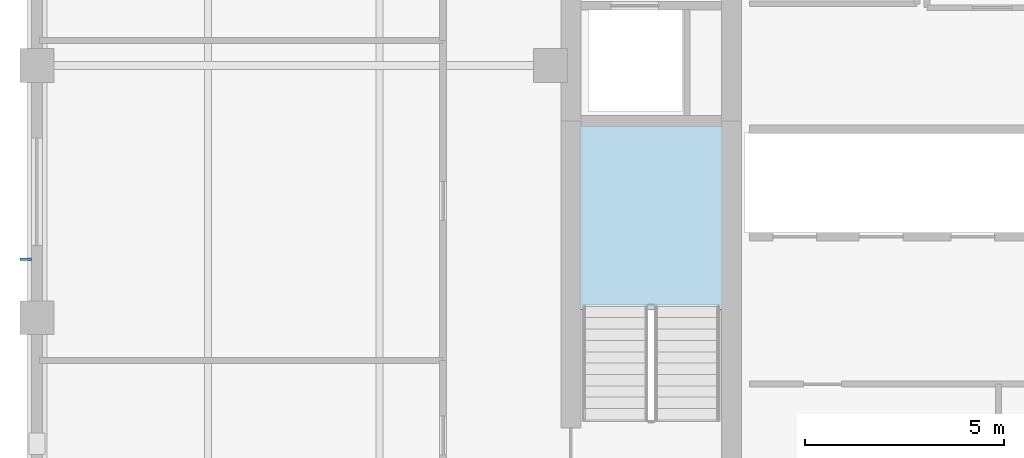
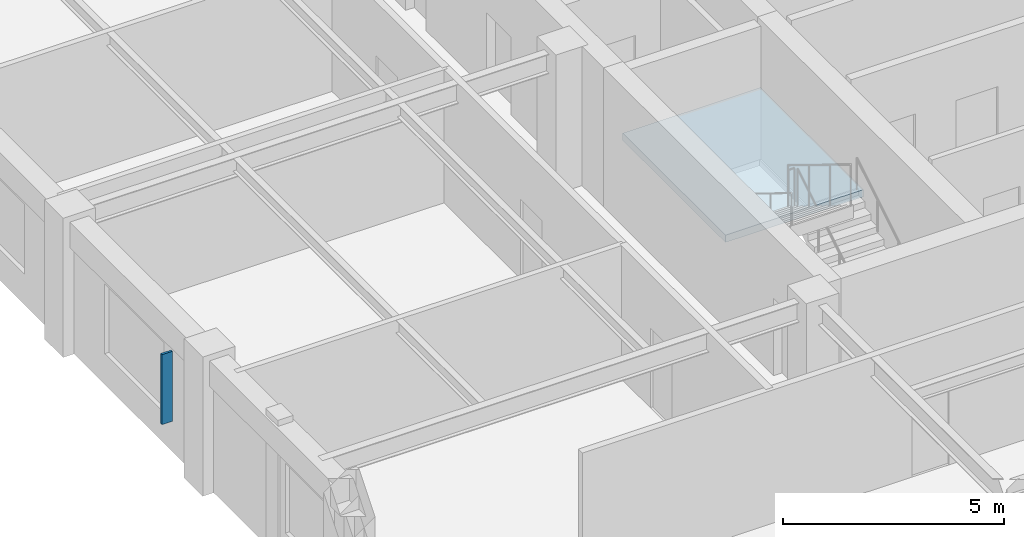
# One storey, part 2 of 9: 1 plate, 1 slab, 1 element without a shape of its own.
"""IFC4 building model written with IfcOpenShell, lengths in metres."""

import ifcopenshell
import ifcopenshell.guid

model = None  # the IFC model being written
_history = None  # IfcOwnerHistory: only IFC2X3 demands one
_inside = {}  # id of a spatial element -> (the spatial element, [elements in it])
_under = {}  # id of a project, library or spatial element -> (it, [spatial elements below it])
_declared = {}  # id of a project -> (the project, [libraries it declares])
_typed = {}  # id of a type object -> (the type object, [elements of that type])
_made_of = {}  # id of a material, layer set ... -> (it, [elements and type objects made of it])


def new_model(schema):
    """Start an empty IFC model of exactly this schema.

    Asked for "IFC4X3", IfcOpenShell would pick the latest addendum, in which some entities
    have other attributes; the version numbers below select the first issue.
    IFC2X3 requires an IfcOwnerHistory on every rooted entity: one is made here for all.
    """
    global model, _history
    if schema == "IFC4X3":
        model = ifcopenshell.file(schema_version=(4, 3, 0, 0))
    else:
        model = ifcopenshell.file(schema=schema)
    _inside.clear()
    _under.clear()
    _declared.clear()
    _typed.clear()
    _made_of.clear()
    _history = None
    if model.schema == "IFC2X3":
        org = make("IfcOrganization", Name="unknown")
        user = make(
            "IfcPersonAndOrganization",
            ThePerson=make("IfcPerson", FamilyName="unknown"),
            TheOrganization=org,
        )
        app = make(
            "IfcApplication",
            ApplicationDeveloper=org,
            Version="unknown",
            ApplicationFullName="unknown",
            ApplicationIdentifier="unknown",
        )
        _history = make(
            "IfcOwnerHistory",
            OwningUser=user,
            OwningApplication=app,
            ChangeAction="ADDED",
            CreationDate=0,
        )
    return model


def make(cls, **values):
    """One entity of the class cls with the attributes given. An attribute that is None is left unset."""
    return model.create_entity(
        cls, **{name: value for name, value in values.items() if value is not None}
    )


def rooted(cls, **values):
    """An entity with a GlobalId (a new one), such as an element, a storey or a relation."""
    return make(cls, GlobalId=ifcopenshell.guid.new(), OwnerHistory=_history, **values)


def si_unit(unit_type, name, prefix=None):
    """IfcSIUnit, for example si_unit("LENGTHUNIT", "METRE", prefix="MILLI")."""
    return make("IfcSIUnit", UnitType=unit_type, Prefix=prefix, Name=name)


def assignment(units):
    """IfcUnitAssignment: the units of a project."""
    return None if units is None else make("IfcUnitAssignment", Units=units)


def point(xyz):
    """IfcCartesianPoint."""
    return None if xyz is None else make("IfcCartesianPoint", Coordinates=xyz)


def direction(xyz):
    """IfcDirection."""
    return None if xyz is None else make("IfcDirection", DirectionRatios=xyz)


def frame(location, z_axis=None, x_axis=None):
    """IfcAxis2Placement3D, a coordinate frame: its origin and axes. An axis left out is left unset."""
    return make(
        "IfcAxis2Placement3D",
        Location=point(location),
        Axis=direction(z_axis),
        RefDirection=direction(x_axis),
    )


def frame_2d(location, x_axis=None):
    """IfcAxis2Placement2D, a coordinate frame in the plane: its origin and x axis."""
    return make(
        "IfcAxis2Placement2D", Location=point(location), RefDirection=direction(x_axis)
    )


def origin():
    """The frame at (0, 0, 0) with its axes left unset."""
    return frame((0.0, 0.0, 0.0))


def origin_2d():
    """The frame at (0, 0) in the plane with its x axis left unset."""
    return frame_2d((0.0, 0.0))


def place(relative_to, where):
    """IfcLocalPlacement: puts the frame where relative to a parent placement (None: the world)."""
    return make(
        "IfcLocalPlacement", PlacementRelTo=relative_to, RelativePlacement=where
    )


def context(
    kind, dimensions, precision=None, world=None, true_north=None, identifier=None
):
    """IfcGeometricRepresentationContext, for example the 3D "Model" context."""
    return make(
        "IfcGeometricRepresentationContext",
        ContextIdentifier=identifier,
        ContextType=kind,
        CoordinateSpaceDimension=dimensions,
        Precision=precision,
        WorldCoordinateSystem=world,
        TrueNorth=true_north,
    )


def subcontext(parent, identifier, kind, view, scale=None):
    """IfcGeometricRepresentationSubContext, for example "Body" below "Model"."""
    return make(
        "IfcGeometricRepresentationSubContext",
        ContextIdentifier=identifier,
        ContextType=kind,
        ParentContext=parent,
        TargetScale=scale,
        TargetView=view,
    )


def project(units=None, contexts=None):
    """IfcProject with its units and contexts."""
    return rooted(
        "IfcProject",
        Name="project",
        RepresentationContexts=contexts,
        UnitsInContext=assignment(units),
    )


def spatial(cls, under=None, at=None, **own):
    """A site, building, storey or space (cls), placed at a placement, below another one or the project."""
    s = rooted(cls, ObjectPlacement=at, **own)
    if under is not None:
        _under.setdefault(under.id(), (under, []))[1].append(s)
    return s


def polyline(points):
    """IfcPolyline through the points."""
    return make("IfcPolyline", Points=[point(p) for p in points])


def profile(cls, at=None, kind="AREA", **sizes):
    """A parametric profile (cls). Its sizes go by their IFC names, for example OverallWidth=200.0."""
    return make(cls, ProfileType=kind, Position=at, **sizes)


def rectangle(**sizes):
    """IfcRectangleProfileDef."""
    return profile("IfcRectangleProfileDef", **sizes)


def outline(outer, holes=None, kind="AREA"):
    """IfcArbitraryClosedProfileDef: a profile drawn as a closed curve; with holes, ...WithVoids."""
    if holes is None:
        return make("IfcArbitraryClosedProfileDef", ProfileType=kind, OuterCurve=outer)
    return make(
        "IfcArbitraryProfileDefWithVoids",
        ProfileType=kind,
        OuterCurve=outer,
        InnerCurves=holes,
    )


def extrude(swept, where, along, depth):
    """IfcExtrudedAreaSolid: the profile swept, set in the frame where, extruded along a direction by depth."""
    return make(
        "IfcExtrudedAreaSolid",
        SweptArea=swept,
        Position=where,
        ExtrudedDirection=direction(along),
        Depth=depth,
    )


def shape(context_of_items, identifier, shape_type, items):
    """IfcShapeRepresentation: the items that make up one representation, for example the "Body"."""
    return make(
        "IfcShapeRepresentation",
        ContextOfItems=context_of_items,
        RepresentationIdentifier=identifier,
        RepresentationType=shape_type,
        Items=items,
    )


def material(Name=None, Category=None):
    """IfcMaterial."""
    return make("IfcMaterial", Name=Name, Category=Category)


def layer(
    of_material, thickness, ventilated=None, Name=None, Category=None, Priority=None
):
    """IfcMaterialLayer: one layer of a wall or slab, of a material (None: an air gap)."""
    return make(
        "IfcMaterialLayer",
        Material=of_material,
        LayerThickness=thickness,
        IsVentilated=ventilated,
        Name=Name,
        Category=Category,
        Priority=Priority,
    )


def layer_set(layers, Name=None):
    """IfcMaterialLayerSet."""
    return make("IfcMaterialLayerSet", MaterialLayers=layers, LayerSetName=Name)


def made_of(thing, what):
    """Note that an element or type object is made of a material, layer set ...; save() writes the relation."""
    if what is not None:
        _made_of.setdefault(what.id(), (what, []))[1].append(thing)
    return thing


def type_object(cls, material=None, **own):
    """A type object (cls), such as IfcWallType, which elements share."""
    return made_of(rooted(cls, **own), material)


def element(
    cls,
    number,
    at=None,
    inside=None,
    cuts=None,
    type_object=None,
    material=None,
    context=None,
    identifier="Body",
    shape_type=None,
    held_by="IfcProductDefinitionShape",
    body=None,
    shapes=None,
    **own,
):
    """One element of the class cls, such as IfcWall. Its Tag is "e" and its number.

    at: its placement. inside: the storey or other place that contains it. cuts: it is an
    opening in that element (IfcRelVoidsElement). A single representation is given by context,
    identifier, shape_type and body (its items); several are given by shapes. held_by: the class
    of the entity that holds the representations. save() writes the other relations.
    """
    e = rooted(cls, Tag="e%d" % number, ObjectPlacement=at, **own)
    if body is not None:
        shapes = [shape(context, identifier, shape_type, body)]
    if shapes is not None:
        e.Representation = make(held_by, Representations=shapes)
    if inside is not None:
        _inside.setdefault(inside.id(), (inside, []))[1].append(e)
    if cuts is not None:
        rooted(
            "IfcRelVoidsElement", RelatingBuildingElement=cuts, RelatedOpeningElement=e
        )
    if type_object is not None:
        _typed.setdefault(type_object.id(), (type_object, []))[1].append(e)
    return made_of(e, material)


def aggregate(whole, parts):
    """IfcRelAggregates: a whole, such as a stair, and the parts it consists of."""
    return rooted("IfcRelAggregates", RelatingObject=whole, RelatedObjects=parts)


def save(model, path):
    """Write the relations noted so far, then the file.

    IfcRelAggregates (storeys below a building ...), IfcRelContainedInSpatialStructure (elements
    in a storey), IfcRelDefinesByType, IfcRelAssociatesMaterial and IfcRelDeclares: one each for
    every whole, place, type object, material and project.
    """
    for whole, parts in _under.values():
        aggregate(whole, parts)
    for where, things in _inside.values():
        rooted(
            "IfcRelContainedInSpatialStructure",
            RelatedElements=things,
            RelatingStructure=where,
        )
    for kind, things in _typed.values():
        rooted("IfcRelDefinesByType", RelatedObjects=things, RelatingType=kind)
    for what, things in _made_of.values():
        rooted("IfcRelAssociatesMaterial", RelatedObjects=things, RelatingMaterial=what)
    for by, libraries in _declared.values():
        rooted("IfcRelDeclares", RelatingContext=by, RelatedDefinitions=libraries)
    model.write(path)


model = new_model("IFC4")

# Units and contexts
model_context = context("Model", 3, precision=1e-05, world=origin(), true_north=direction((0.0, 1.0)))
body_context = subcontext(model_context, "Body", "Model", "MODEL_VIEW")
ifc_project = project(units=[si_unit("LENGTHUNIT", "METRE"), si_unit("AREAUNIT", "SQUARE_METRE"), si_unit("VOLUMEUNIT", "CUBIC_METRE"), si_unit("PLANEANGLEUNIT", "RADIAN"), si_unit("MASSUNIT", "GRAM", prefix="KILO")], contexts=[model_context])

# Site, building, storey
site_placement = place(None, origin())
site = spatial("IfcSite", under=ifc_project, at=site_placement, CompositionType="ELEMENT")
building_placement = place(site_placement, origin())
building = spatial("IfcBuilding", under=site, at=building_placement, Name="Nhamokura Convention Tower", CompositionType="ELEMENT")
storey_placement = place(building_placement, frame((0.0, 0.0, 221.550048828125)))
storey = spatial("IfcBuildingStorey", under=building, at=storey_placement, Name="L54", CompositionType="ELEMENT", Elevation=221.550048828125)

# Plate
ifc_material_1 = material(Name="Anodised bronze aluminium AA6063-T6", Category="aluminium")
plate_type = type_object("IfcPlateType", Name="BronzeSolarFin_2", PredefinedType="USERDEFINED", material=ifc_material_1)
plate_placement = place(storey_placement, frame((7.469970703125, 27.13330078125, 0.849853515625), z_axis=(0.0, 0.0, 1.0), x_axis=(1.0, 0.0, 0.0)))
element("IfcPlate", 1, at=plate_placement, inside=storey, type_object=plate_type, Name="L54 Bronze Solar Shading Fin WEST 2", ObjectType="SOLAR_FIN", PredefinedType="USERDEFINED", context=body_context, shape_type="SweptSolid", body=[
    extrude(rectangle(XDim=0.280029296875, YDim=0.06005859375, at=origin_2d()), origin(), (0.0, 0.0, 1.0), 1.93505859375),
])

# Stair, slab
ifc_material_2 = material(Name="Concrete C40/50", Category="concrete")
stair_type = type_object("IfcStairType", Name="TowerCoreStair_1650", PredefinedType="HALF_TURN_STAIR", material=ifc_material_2)
stair_placement = place(storey_placement, origin())
stair = element("IfcStair", 2, at=stair_placement, inside=storey, type_object=stair_type, Name="L54 West Core Smokeproof Stair ST-01", PredefinedType="HALF_TURN_STAIR")
ifc_material_3 = material(Name="Concrete C40/50", Category="concrete")
ifc_layer = layer(ifc_material_3, 0.199951171875)
ifc_layer_set = layer_set([ifc_layer], Name="StairLandingSlab_200")
slab_type = type_object("IfcSlabType", Name="StairLandingSlab_200", PredefinedType="LANDING", material=ifc_layer_set)
slab_placement = place(storey_placement, frame((0.0, 0.0, 1.724853515625)))
slab = element("IfcSlab", 3, at=slab_placement, type_object=slab_type, Name="ST-01 landing 1", PredefinedType="LANDING", context=body_context, shape_type="SweptSolid", body=[
    extrude(outline(polyline([(24.97998046875, 25.8701171875), (24.97998046875, 30.530029296875), (21.3701171875, 30.530029296875), (21.3701171875, 25.8701171875), (24.97998046875, 25.8701171875)])), origin(), (0.0, 0.0, 1.0), 0.2001953125),
])
aggregate(stair, [slab])

save(model, "model.ifc")
